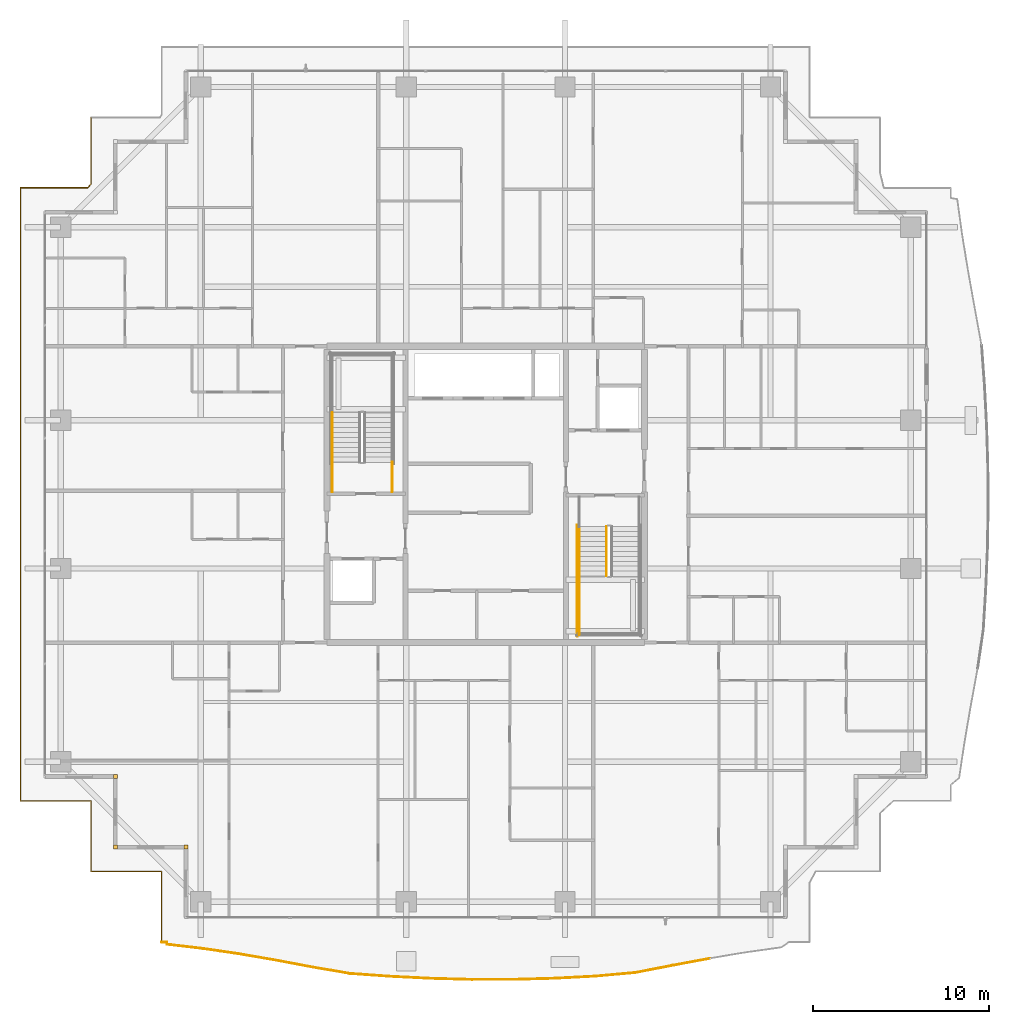
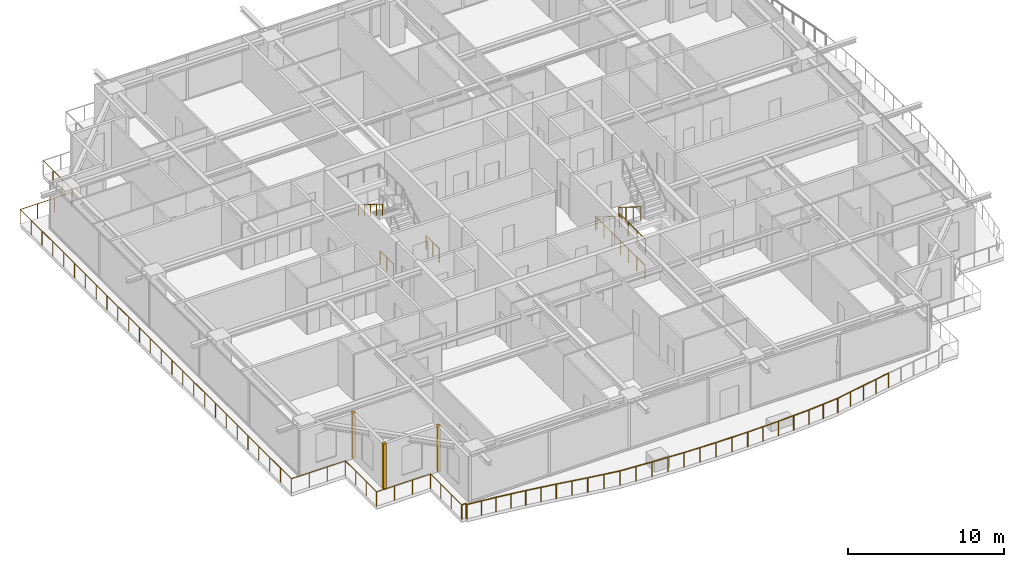
# One storey, part 34 of 38: 10 railings, 3 coverings.
"""IFC4 building model written with IfcOpenShell, lengths in metres."""

import ifcopenshell
import ifcopenshell.guid

model = None  # the IFC model being written
_history = None  # IfcOwnerHistory: only IFC2X3 demands one
_inside = {}  # id of a spatial element -> (the spatial element, [elements in it])
_under = {}  # id of a project, library or spatial element -> (it, [spatial elements below it])
_declared = {}  # id of a project -> (the project, [libraries it declares])
_typed = {}  # id of a type object -> (the type object, [elements of that type])
_made_of = {}  # id of a material, layer set ... -> (it, [elements and type objects made of it])


def new_model(schema):
    """Start an empty IFC model of exactly this schema.

    Asked for "IFC4X3", IfcOpenShell would pick the latest addendum, in which some entities
    have other attributes; the version numbers below select the first issue.
    IFC2X3 requires an IfcOwnerHistory on every rooted entity: one is made here for all.
    """
    global model, _history
    if schema == "IFC4X3":
        model = ifcopenshell.file(schema_version=(4, 3, 0, 0))
    else:
        model = ifcopenshell.file(schema=schema)
    _inside.clear()
    _under.clear()
    _declared.clear()
    _typed.clear()
    _made_of.clear()
    _history = None
    if model.schema == "IFC2X3":
        org = make("IfcOrganization", Name="unknown")
        user = make(
            "IfcPersonAndOrganization",
            ThePerson=make("IfcPerson", FamilyName="unknown"),
            TheOrganization=org,
        )
        app = make(
            "IfcApplication",
            ApplicationDeveloper=org,
            Version="unknown",
            ApplicationFullName="unknown",
            ApplicationIdentifier="unknown",
        )
        _history = make(
            "IfcOwnerHistory",
            OwningUser=user,
            OwningApplication=app,
            ChangeAction="ADDED",
            CreationDate=0,
        )
    return model


def make(cls, **values):
    """One entity of the class cls with the attributes given. An attribute that is None is left unset."""
    return model.create_entity(
        cls, **{name: value for name, value in values.items() if value is not None}
    )


def rooted(cls, **values):
    """An entity with a GlobalId (a new one), such as an element, a storey or a relation."""
    return make(cls, GlobalId=ifcopenshell.guid.new(), OwnerHistory=_history, **values)


def si_unit(unit_type, name, prefix=None):
    """IfcSIUnit, for example si_unit("LENGTHUNIT", "METRE", prefix="MILLI")."""
    return make("IfcSIUnit", UnitType=unit_type, Prefix=prefix, Name=name)


def assignment(units):
    """IfcUnitAssignment: the units of a project."""
    return None if units is None else make("IfcUnitAssignment", Units=units)


def point(xyz):
    """IfcCartesianPoint."""
    return None if xyz is None else make("IfcCartesianPoint", Coordinates=xyz)


def direction(xyz):
    """IfcDirection."""
    return None if xyz is None else make("IfcDirection", DirectionRatios=xyz)


def frame(location, z_axis=None, x_axis=None):
    """IfcAxis2Placement3D, a coordinate frame: its origin and axes. An axis left out is left unset."""
    return make(
        "IfcAxis2Placement3D",
        Location=point(location),
        Axis=direction(z_axis),
        RefDirection=direction(x_axis),
    )


def frame_2d(location, x_axis=None):
    """IfcAxis2Placement2D, a coordinate frame in the plane: its origin and x axis."""
    return make(
        "IfcAxis2Placement2D", Location=point(location), RefDirection=direction(x_axis)
    )


def origin():
    """The frame at (0, 0, 0) with its axes left unset."""
    return frame((0.0, 0.0, 0.0))


def origin_2d():
    """The frame at (0, 0) in the plane with its x axis left unset."""
    return frame_2d((0.0, 0.0))


def place(relative_to, where):
    """IfcLocalPlacement: puts the frame where relative to a parent placement (None: the world)."""
    return make(
        "IfcLocalPlacement", PlacementRelTo=relative_to, RelativePlacement=where
    )


def context(
    kind, dimensions, precision=None, world=None, true_north=None, identifier=None
):
    """IfcGeometricRepresentationContext, for example the 3D "Model" context."""
    return make(
        "IfcGeometricRepresentationContext",
        ContextIdentifier=identifier,
        ContextType=kind,
        CoordinateSpaceDimension=dimensions,
        Precision=precision,
        WorldCoordinateSystem=world,
        TrueNorth=true_north,
    )


def subcontext(parent, identifier, kind, view, scale=None):
    """IfcGeometricRepresentationSubContext, for example "Body" below "Model"."""
    return make(
        "IfcGeometricRepresentationSubContext",
        ContextIdentifier=identifier,
        ContextType=kind,
        ParentContext=parent,
        TargetScale=scale,
        TargetView=view,
    )


def project(units=None, contexts=None):
    """IfcProject with its units and contexts."""
    return rooted(
        "IfcProject",
        Name="project",
        RepresentationContexts=contexts,
        UnitsInContext=assignment(units),
    )


def spatial(cls, under=None, at=None, **own):
    """A site, building, storey or space (cls), placed at a placement, below another one or the project."""
    s = rooted(cls, ObjectPlacement=at, **own)
    if under is not None:
        _under.setdefault(under.id(), (under, []))[1].append(s)
    return s


def profile(cls, at=None, kind="AREA", **sizes):
    """A parametric profile (cls). Its sizes go by their IFC names, for example OverallWidth=200.0."""
    return make(cls, ProfileType=kind, Position=at, **sizes)


def rectangle(**sizes):
    """IfcRectangleProfileDef."""
    return profile("IfcRectangleProfileDef", **sizes)


def circle(**sizes):
    """IfcCircleProfileDef."""
    return profile("IfcCircleProfileDef", **sizes)


def extrude(swept, where, along, depth):
    """IfcExtrudedAreaSolid: the profile swept, set in the frame where, extruded along a direction by depth."""
    return make(
        "IfcExtrudedAreaSolid",
        SweptArea=swept,
        Position=where,
        ExtrudedDirection=direction(along),
        Depth=depth,
    )


def shape(context_of_items, identifier, shape_type, items):
    """IfcShapeRepresentation: the items that make up one representation, for example the "Body"."""
    return make(
        "IfcShapeRepresentation",
        ContextOfItems=context_of_items,
        RepresentationIdentifier=identifier,
        RepresentationType=shape_type,
        Items=items,
    )


def source(mapping_origin, context_of_items, identifier, shape_type, items):
    """IfcRepresentationMap: a shape defined once, which mapped items show again and again."""
    return make(
        "IfcRepresentationMap",
        MappingOrigin=mapping_origin,
        MappedRepresentation=shape(context_of_items, identifier, shape_type, items),
    )


def transform(
    local_origin,
    x_axis=None,
    y_axis=None,
    z_axis=None,
    scale=None,
    scale2=None,
    scale3=None,
    uniform=True,
):
    """IfcCartesianTransformationOperator3D, or its non-uniform kind. x_axis, y_axis, z_axis: its Axis1, 2, 3."""
    if uniform:
        return make(
            "IfcCartesianTransformationOperator3D",
            Axis1=direction(x_axis),
            Axis2=direction(y_axis),
            LocalOrigin=point(local_origin),
            Scale=scale,
            Axis3=direction(z_axis),
        )
    return make(
        "IfcCartesianTransformationOperator3DnonUniform",
        Axis1=direction(x_axis),
        Axis2=direction(y_axis),
        LocalOrigin=point(local_origin),
        Scale=scale,
        Axis3=direction(z_axis),
        Scale2=scale2,
        Scale3=scale3,
    )


def mapped(mapping_source, mapping_target):
    """IfcMappedItem: shows the shape of a source again, moved by a transform."""
    return make(
        "IfcMappedItem", MappingSource=mapping_source, MappingTarget=mapping_target
    )


def material(Name=None, Category=None):
    """IfcMaterial."""
    return make("IfcMaterial", Name=Name, Category=Category)


def layer(
    of_material, thickness, ventilated=None, Name=None, Category=None, Priority=None
):
    """IfcMaterialLayer: one layer of a wall or slab, of a material (None: an air gap)."""
    return make(
        "IfcMaterialLayer",
        Material=of_material,
        LayerThickness=thickness,
        IsVentilated=ventilated,
        Name=Name,
        Category=Category,
        Priority=Priority,
    )


def layer_set(layers, Name=None):
    """IfcMaterialLayerSet."""
    return make("IfcMaterialLayerSet", MaterialLayers=layers, LayerSetName=Name)


def made_of(thing, what):
    """Note that an element or type object is made of a material, layer set ...; save() writes the relation."""
    if what is not None:
        _made_of.setdefault(what.id(), (what, []))[1].append(thing)
    return thing


def type_object(cls, material=None, **own):
    """A type object (cls), such as IfcWallType, which elements share."""
    return made_of(rooted(cls, **own), material)


def element(
    cls,
    number,
    at=None,
    inside=None,
    cuts=None,
    type_object=None,
    material=None,
    context=None,
    identifier="Body",
    shape_type=None,
    held_by="IfcProductDefinitionShape",
    body=None,
    shapes=None,
    **own,
):
    """One element of the class cls, such as IfcWall. Its Tag is "e" and its number.

    at: its placement. inside: the storey or other place that contains it. cuts: it is an
    opening in that element (IfcRelVoidsElement). A single representation is given by context,
    identifier, shape_type and body (its items); several are given by shapes. held_by: the class
    of the entity that holds the representations. save() writes the other relations.
    """
    e = rooted(cls, Tag="e%d" % number, ObjectPlacement=at, **own)
    if body is not None:
        shapes = [shape(context, identifier, shape_type, body)]
    if shapes is not None:
        e.Representation = make(held_by, Representations=shapes)
    if inside is not None:
        _inside.setdefault(inside.id(), (inside, []))[1].append(e)
    if cuts is not None:
        rooted(
            "IfcRelVoidsElement", RelatingBuildingElement=cuts, RelatedOpeningElement=e
        )
    if type_object is not None:
        _typed.setdefault(type_object.id(), (type_object, []))[1].append(e)
    return made_of(e, material)


def aggregate(whole, parts):
    """IfcRelAggregates: a whole, such as a stair, and the parts it consists of."""
    return rooted("IfcRelAggregates", RelatingObject=whole, RelatedObjects=parts)


def save(model, path):
    """Write the relations noted so far, then the file.

    IfcRelAggregates (storeys below a building ...), IfcRelContainedInSpatialStructure (elements
    in a storey), IfcRelDefinesByType, IfcRelAssociatesMaterial and IfcRelDeclares: one each for
    every whole, place, type object, material and project.
    """
    for whole, parts in _under.values():
        aggregate(whole, parts)
    for where, things in _inside.values():
        rooted(
            "IfcRelContainedInSpatialStructure",
            RelatedElements=things,
            RelatingStructure=where,
        )
    for kind, things in _typed.values():
        rooted("IfcRelDefinesByType", RelatedObjects=things, RelatingType=kind)
    for what, things in _made_of.values():
        rooted("IfcRelAssociatesMaterial", RelatedObjects=things, RelatingMaterial=what)
    for by, libraries in _declared.values():
        rooted("IfcRelDeclares", RelatingContext=by, RelatedDefinitions=libraries)
    model.write(path)


model = new_model("IFC4")

# Units and contexts
model_context = context("Model", 3, precision=1e-05, world=origin(), true_north=direction((0.0, 1.0)))
body_context = subcontext(model_context, "Body", "Model", "MODEL_VIEW")
ifc_project = project(units=[si_unit("LENGTHUNIT", "METRE"), si_unit("AREAUNIT", "SQUARE_METRE"), si_unit("VOLUMEUNIT", "CUBIC_METRE"), si_unit("PLANEANGLEUNIT", "RADIAN"), si_unit("MASSUNIT", "GRAM", prefix="KILO")], contexts=[model_context])

# Site, building, storey
site_placement = place(None, origin())
site = spatial("IfcSite", under=ifc_project, at=site_placement, CompositionType="ELEMENT")
building_placement = place(site_placement, origin())
building = spatial("IfcBuilding", under=site, at=building_placement, Name="Serunith Strait Residences", CompositionType="ELEMENT")
storey_placement = place(building_placement, frame((0.0, 0.0, 229.699951171875)))
storey = spatial("IfcBuildingStorey", under=building, at=storey_placement, Name="L57", CompositionType="ELEMENT", Elevation=229.699951171875)

# Railings
ifc_material_1 = material(Name="Stainless Steel & Laminated Glass Balustrade", Category="steel")
railing_type_1 = type_object("IfcRailingType", Name="RLG-BALC-1150", PredefinedType="BALUSTRADE", material=ifc_material_1)
railing_1_placement = place(storey_placement, frame((14.02001953125, -0.179931640625, -0.050048828125)))
element("IfcRailing", 1, at=railing_1_placement, inside=storey, type_object=railing_type_1, Name="L57 Swirling Balcony Perimeter Balustrade 1", PredefinedType="BALUSTRADE", context=body_context, shape_type="SweptSolid", body=[
    extrude(circle(Radius=0.02392578125, at=origin_2d()), frame((0.0, 0.001953125, 1.1259765625), z_axis=(0.0, 1.0, 0.0), x_axis=(-1.0, 0.0, 0.0)), (0.0, 0.0, 1.0), 3.99609375),
    extrude(circle(Radius=0.02392578125, at=origin_2d()), frame((-0.001953125, 4.0, 1.1259765625), z_axis=(-1.0, 0.0, 0.0), x_axis=(0.0, -1.0, 0.0)), (0.0, 0.0, 1.0), 3.99609375),
    extrude(circle(Radius=0.02392578125, at=origin_2d()), frame((-4.0, 4.001953125, 1.1259765625), z_axis=(0.0, 1.0, 0.0), x_axis=(-1.0, 0.0, 0.0)), (0.0, 0.0, 1.0), 3.99609375),
    extrude(circle(Radius=0.02392578125, at=origin_2d()), frame((-4.001953125, 8.0, 1.1259765625), z_axis=(-1.0, 0.0, 0.0), x_axis=(0.0, -1.0, 0.0)), (0.0, 0.0, 1.0), 3.99609375),
    extrude(circle(Radius=0.02392578125, at=origin_2d()), frame((-8.0, 8.001953125, 1.1259765625), z_axis=(0.0, 1.0, 0.0), x_axis=(-1.0, 0.0, 0.0)), (0.0, 0.0, 1.0), 34.756103515625),
    extrude(circle(Radius=0.02392578125, at=origin_2d()), frame((-7.998046875, 42.760009765625, 1.1259765625), z_axis=(1.0, 0.0, 0.0), x_axis=(0.0, 1.0, 0.0)), (0.0, 0.0, 1.0), 3.801025390625),
    extrude(circle(Radius=0.02392578125, at=origin_2d()), frame((-4.19384765625, 42.761474609375, 1.1259765625), z_axis=(0.660199372359, 0.751090399843, 0.0), x_axis=(-0.751090399843, 0.660199372359, 0.0)), (0.0, 0.0, 1.0), 0.29150390625),
    extrude(circle(Radius=0.02392578125, at=origin_2d()), frame((-4.0, 42.98388671875, 1.1259765625), z_axis=(0.0, 1.0, 0.0), x_axis=(-1.0, 0.0, 0.0)), (0.0, 0.0, 1.0), 3.774169921875),
    extrude(circle(Radius=0.02099609375, at=origin_2d()), origin(), (0.0, 0.0, 1.0), 1.099853515625),
    extrude(circle(Radius=0.02099609375, at=origin_2d()), frame((0.0, 1.333251953125, 0.0)), (0.0, 0.0, 1.0), 1.099853515625),
    extrude(circle(Radius=0.02099609375, at=origin_2d()), frame((0.0, 2.666748046875, 0.0)), (0.0, 0.0, 1.0), 1.099853515625),
    extrude(circle(Radius=0.02099609375, at=origin_2d()), frame((0.0, 4.0, 0.0)), (0.0, 0.0, 1.0), 1.099853515625),
    extrude(circle(Radius=0.02099609375, at=origin_2d()), frame((-1.333251953125, 4.0, 0.0)), (0.0, 0.0, 1.0), 1.099853515625),
    extrude(circle(Radius=0.02099609375, at=origin_2d()), frame((-2.666748046875, 4.0, 0.0)), (0.0, 0.0, 1.0), 1.099853515625),
    extrude(circle(Radius=0.02099609375, at=origin_2d()), frame((-4.0, 4.0, 0.0)), (0.0, 0.0, 1.0), 1.099853515625),
    extrude(circle(Radius=0.02099609375, at=origin_2d()), frame((-4.0, 5.333251953125, 0.0)), (0.0, 0.0, 1.0), 1.099853515625),
    extrude(circle(Radius=0.02099609375, at=origin_2d()), frame((-4.0, 6.666748046875, 0.0)), (0.0, 0.0, 1.0), 1.099853515625),
    extrude(circle(Radius=0.02099609375, at=origin_2d()), frame((-4.0, 8.0, 0.0)), (0.0, 0.0, 1.0), 1.099853515625),
    extrude(circle(Radius=0.02099609375, at=origin_2d()), frame((-5.333251953125, 8.0, 0.0)), (0.0, 0.0, 1.0), 1.099853515625),
    extrude(circle(Radius=0.02099609375, at=origin_2d()), frame((-6.666748046875, 8.0, 0.0)), (0.0, 0.0, 1.0), 1.099853515625),
    extrude(circle(Radius=0.02099609375, at=origin_2d()), frame((-8.0, 8.0, 0.0)), (0.0, 0.0, 1.0), 1.099853515625),
    extrude(circle(Radius=0.02099609375, at=origin_2d()), frame((-8.0, 9.390380859375, 0.0)), (0.0, 0.0, 1.0), 1.099853515625),
    extrude(circle(Radius=0.02099609375, at=origin_2d()), frame((-8.0, 10.78076171875, 0.0)), (0.0, 0.0, 1.0), 1.099853515625),
    extrude(circle(Radius=0.02099609375, at=origin_2d()), frame((-8.0, 12.171142578125, 0.0)), (0.0, 0.0, 1.0), 1.099853515625),
    extrude(circle(Radius=0.02099609375, at=origin_2d()), frame((-8.0, 13.5615234375, 0.0)), (0.0, 0.0, 1.0), 1.099853515625),
    extrude(circle(Radius=0.02099609375, at=origin_2d()), frame((-8.0, 14.951904296875, 0.0)), (0.0, 0.0, 1.0), 1.099853515625),
    extrude(circle(Radius=0.02099609375, at=origin_2d()), frame((-8.0, 16.34228515625, 0.0)), (0.0, 0.0, 1.0), 1.099853515625),
    extrude(circle(Radius=0.02099609375, at=origin_2d()), frame((-8.0, 17.73291015625, 0.0)), (0.0, 0.0, 1.0), 1.099853515625),
    extrude(circle(Radius=0.02099609375, at=origin_2d()), frame((-8.0, 19.123291015625, 0.0)), (0.0, 0.0, 1.0), 1.099853515625),
    extrude(circle(Radius=0.02099609375, at=origin_2d()), frame((-8.0, 20.513671875, 0.0)), (0.0, 0.0, 1.0), 1.099853515625),
    extrude(circle(Radius=0.02099609375, at=origin_2d()), frame((-8.0, 21.904052734375, 0.0)), (0.0, 0.0, 1.0), 1.099853515625),
    extrude(circle(Radius=0.02099609375, at=origin_2d()), frame((-8.0, 23.29443359375, 0.0)), (0.0, 0.0, 1.0), 1.099853515625),
    extrude(circle(Radius=0.02099609375, at=origin_2d()), frame((-8.0, 24.684814453125, 0.0)), (0.0, 0.0, 1.0), 1.099853515625),
    extrude(circle(Radius=0.02099609375, at=origin_2d()), frame((-8.0, 26.0751953125, 0.0)), (0.0, 0.0, 1.0), 1.099853515625),
    extrude(circle(Radius=0.02099609375, at=origin_2d()), frame((-8.0, 27.465576171875, 0.0)), (0.0, 0.0, 1.0), 1.099853515625),
    extrude(circle(Radius=0.02099609375, at=origin_2d()), frame((-8.0, 28.85595703125, 0.0)), (0.0, 0.0, 1.0), 1.099853515625),
    extrude(circle(Radius=0.02099609375, at=origin_2d()), frame((-8.0, 30.246337890625, 0.0)), (0.0, 0.0, 1.0), 1.099853515625),
    extrude(circle(Radius=0.02099609375, at=origin_2d()), frame((-8.0, 31.63671875, 0.0)), (0.0, 0.0, 1.0), 1.099853515625),
    extrude(circle(Radius=0.02099609375, at=origin_2d()), frame((-8.0, 33.027099609375, 0.0)), (0.0, 0.0, 1.0), 1.099853515625),
    extrude(circle(Radius=0.02099609375, at=origin_2d()), frame((-8.0, 34.417724609375, 0.0)), (0.0, 0.0, 1.0), 1.099853515625),
    extrude(circle(Radius=0.02099609375, at=origin_2d()), frame((-8.0, 35.80810546875, 0.0)), (0.0, 0.0, 1.0), 1.099853515625),
    extrude(circle(Radius=0.02099609375, at=origin_2d()), frame((-8.0, 37.198486328125, 0.0)), (0.0, 0.0, 1.0), 1.099853515625),
    extrude(circle(Radius=0.02099609375, at=origin_2d()), frame((-8.0, 38.5888671875, 0.0)), (0.0, 0.0, 1.0), 1.099853515625),
    extrude(circle(Radius=0.02099609375, at=origin_2d()), frame((-8.0, 39.979248046875, 0.0)), (0.0, 0.0, 1.0), 1.099853515625),
    extrude(circle(Radius=0.02099609375, at=origin_2d()), frame((-8.0, 41.36962890625, 0.0)), (0.0, 0.0, 1.0), 1.099853515625),
    extrude(circle(Radius=0.02099609375, at=origin_2d()), frame((-8.0, 42.760009765625, 0.0)), (0.0, 0.0, 1.0), 1.099853515625),
    extrude(circle(Radius=0.02099609375, at=origin_2d()), frame((-6.731689453125, 42.760009765625, 0.0)), (0.0, 0.0, 1.0), 1.099853515625),
    extrude(circle(Radius=0.02099609375, at=origin_2d()), frame((-5.46337890625, 42.760009765625, 0.0)), (0.0, 0.0, 1.0), 1.099853515625),
    extrude(circle(Radius=0.02099609375, at=origin_2d()), frame((-4.195068359375, 42.760009765625, 0.0)), (0.0, 0.0, 1.0), 1.099853515625),
    extrude(circle(Radius=0.02099609375, at=origin_2d()), frame((-4.0, 42.98193359375, 0.0)), (0.0, 0.0, 1.0), 1.099853515625),
    extrude(circle(Radius=0.02099609375, at=origin_2d()), frame((-4.0, 44.2412109375, 0.0)), (0.0, 0.0, 1.0), 1.099853515625),
    extrude(circle(Radius=0.02099609375, at=origin_2d()), frame((-4.0, 45.500732421875, 0.0)), (0.0, 0.0, 1.0), 1.099853515625),
    extrude(circle(Radius=0.02099609375, at=origin_2d()), frame((-4.0, 46.760009765625, 0.0)), (0.0, 0.0, 1.0), 1.099853515625),
])
railing_2_placement = place(storey_placement, frame((45.099365234375, -1.112548828125, -0.050048828125)))
element("IfcRailing", 2, at=railing_2_placement, inside=storey, type_object=railing_type_1, Name="L57 Swirling Balcony Perimeter Balustrade 7", PredefinedType="BALUSTRADE", context=body_context, shape_type="SweptSolid", body=[
    extrude(circle(Radius=0.02392578125, at=origin_2d()), frame((-0.001953125, -0.00048828125, 1.1259765625), z_axis=(-0.98293342342, -0.183961640361, 0.0), x_axis=(0.183961640361, -0.98293342342, 0.0)), (0.0, 0.0, 1.0), 2.115478515625),
    extrude(circle(Radius=0.02392578125, at=origin_2d()), frame((-2.085205078125, -0.390380859375, 1.1259765625), z_axis=(-0.981958530381, -0.189096389738, 0.0), x_axis=(0.189096389738, -0.981958530381, 0.0)), (0.0, 0.0, 1.0), 2.177978515625),
    extrude(circle(Radius=0.02392578125, at=origin_2d()), frame((-4.227783203125, -0.802734375, 1.1259765625), z_axis=(-0.995938053883, -0.090041061903, 0.0), x_axis=(0.090041061903, -0.995938053883, 0.0)), (0.0, 0.0, 1.0), 2.265380859375),
    extrude(circle(Radius=0.02392578125, at=origin_2d()), frame((-6.488037109375, -1.0068359375, 1.1259765625), z_axis=(-0.99863616122, -0.052209362223, 0.0), x_axis=(0.052209362223, -0.99863616122, 0.0)), (0.0, 0.0, 1.0), 2.30615234375),
    extrude(circle(Radius=0.02392578125, at=origin_2d()), frame((-8.794921875, -1.12744140625, 1.1259765625), z_axis=(-0.999620692448, -0.027540356392, 0.0), x_axis=(0.027540356392, -0.999620692448, 0.0)), (0.0, 0.0, 1.0), 2.327392578125),
    extrude(circle(Radius=0.02392578125, at=origin_2d()), frame((-11.12548828125, -1.191650390625, 1.1259765625), z_axis=(-0.99999973327, -0.000730383778, 0.0), x_axis=(0.000730383778, -0.99999973327, 0.0)), (0.0, 0.0, 1.0), 2.3359375),
    extrude(circle(Radius=0.02392578125, at=origin_2d()), frame((-13.46533203125, -1.193359375, 1.1259765625), z_axis=(-0.999660691036, 0.026048086236, 0.0), x_axis=(-0.026048086236, -0.999660691036, 0.0)), (0.0, 0.0, 1.0), 2.329833984375),
    extrude(circle(Radius=0.02392578125, at=origin_2d()), frame((-15.79833984375, -1.132568359375, 1.1259765625), z_axis=(-0.998733594087, 0.050311112512, 0.0), x_axis=(-0.050311112512, -0.998733594087, 0.0)), (0.0, 0.0, 1.0), 2.310791015625),
    extrude(circle(Radius=0.02099609375, at=origin_2d()), origin(), (0.0, 0.0, 1.0), 1.099853515625),
    extrude(circle(Radius=0.02099609375, at=origin_2d()), frame((-1.04150390625, -0.19482421875, 0.0)), (0.0, 0.0, 1.0), 1.099853515625),
    extrude(circle(Radius=0.02099609375, at=origin_2d()), frame((-2.083251953125, -0.389892578125, 0.0)), (0.0, 0.0, 1.0), 1.099853515625),
    extrude(circle(Radius=0.02099609375, at=origin_2d()), frame((-3.154541015625, -0.59619140625, 0.0)), (0.0, 0.0, 1.0), 1.099853515625),
    extrude(circle(Radius=0.02099609375, at=origin_2d()), frame((-4.225830078125, -0.802490234375, 0.0)), (0.0, 0.0, 1.0), 1.099853515625),
    extrude(circle(Radius=0.02099609375, at=origin_2d()), frame((-5.35595703125, -0.90478515625, 0.0)), (0.0, 0.0, 1.0), 1.099853515625),
    extrude(circle(Radius=0.02099609375, at=origin_2d()), frame((-6.486083984375, -1.0068359375, 0.0)), (0.0, 0.0, 1.0), 1.099853515625),
    extrude(circle(Radius=0.02099609375, at=origin_2d()), frame((-7.6396484375, -1.067138671875, 0.0)), (0.0, 0.0, 1.0), 1.099853515625),
    extrude(circle(Radius=0.02099609375, at=origin_2d()), frame((-8.79296875, -1.12744140625, 0.0)), (0.0, 0.0, 1.0), 1.099853515625),
    extrude(circle(Radius=0.02099609375, at=origin_2d()), frame((-9.958251953125, -1.15966796875, 0.0)), (0.0, 0.0, 1.0), 1.099853515625),
    extrude(circle(Radius=0.02099609375, at=origin_2d()), frame((-11.12353515625, -1.191650390625, 0.0)), (0.0, 0.0, 1.0), 1.099853515625),
    extrude(circle(Radius=0.02099609375, at=origin_2d()), frame((-12.29345703125, -1.1923828125, 0.0)), (0.0, 0.0, 1.0), 1.099853515625),
    extrude(circle(Radius=0.02099609375, at=origin_2d()), frame((-13.46337890625, -1.193359375, 0.0)), (0.0, 0.0, 1.0), 1.099853515625),
    extrude(circle(Radius=0.02099609375, at=origin_2d()), frame((-14.6298828125, -1.1630859375, 0.0)), (0.0, 0.0, 1.0), 1.099853515625),
    extrude(circle(Radius=0.02099609375, at=origin_2d()), frame((-15.79638671875, -1.132568359375, 0.0)), (0.0, 0.0, 1.0), 1.099853515625),
    extrude(circle(Radius=0.02099609375, at=origin_2d()), frame((-16.9521484375, -1.07421875, 0.0)), (0.0, 0.0, 1.0), 1.099853515625),
    extrude(circle(Radius=0.02099609375, at=origin_2d()), frame((-18.108154296875, -1.01611328125, 0.0)), (0.0, 0.0, 1.0), 1.099853515625),
])
railing_3_placement = place(storey_placement, frame((26.9912109375, -2.128662109375, -0.050048828125)))
element("IfcRailing", 3, at=railing_3_placement, inside=storey, type_object=railing_type_1, Name="L57 Swirling Balcony Perimeter Balustrade 8", PredefinedType="BALUSTRADE", context=body_context, shape_type="SweptSolid", body=[
    extrude(circle(Radius=0.02392578125, at=origin_2d()), frame((-0.001953125, 0.000244140625, 1.1259765625), z_axis=(-0.99751050037, 0.070518094499, 0.0), x_axis=(-0.070518094499, -0.99751050037, 0.0)), (0.0, 0.0, 1.0), 2.281005859375),
    extrude(circle(Radius=0.02392578125, at=origin_2d()), frame((-2.28125, 0.161376953125, 1.1259765625), z_axis=(-0.985749408863, 0.168220399851, 0.0), x_axis=(-0.168220399851, -0.985749408863, 0.0)), (0.0, 0.0, 1.0), 2.201904296875),
    extrude(circle(Radius=0.02392578125, at=origin_2d()), frame((-4.455810546875, 0.53271484375, 1.1259765625), z_axis=(-0.982566861091, 0.185909557274, 0.0), x_axis=(-0.185909557274, -0.982566861091, 0.0)), (0.0, 0.0, 1.0), 2.132568359375),
    extrude(circle(Radius=0.02392578125, at=origin_2d()), frame((-6.55517578125, 0.9296875, 1.1259765625), z_axis=(-0.98551345338, 0.16959726769, 0.0), x_axis=(-0.16959726769, -0.98551345338, 0.0)), (0.0, 0.0, 1.0), 2.081787109375),
    extrude(circle(Radius=0.02392578125, at=origin_2d()), frame((-8.61083984375, 1.283447265625, 1.1259765625), z_axis=(-0.989480179524, 0.144668498052, 0.0), x_axis=(-0.144668498052, -0.989480179524, 0.0)), (0.0, 0.0, 1.0), 2.048095703125),
    extrude(circle(Radius=0.02392578125, at=origin_2d()), frame((-10.641357421875, 1.580322265625, 1.1259765625), z_axis=(-0.993065178084, 0.117565097188, 0.0), x_axis=(-0.117565097188, -0.993065178084, 0.0)), (0.0, 0.0, 1.0), 2.031005859375),
    extrude(circle(Radius=0.02392578125, at=origin_2d()), frame((-12.660400390625, 1.8212890625, 1.1259765625), z_axis=(0.007546954878, 0.999971521331, 0.0), x_axis=(-0.999971521331, 0.007546954878, 0.0)), (0.0, 0.0, 1.0), 0.12548828125),
    extrude(circle(Radius=0.02392578125, at=origin_2d()), frame((-12.661376953125, 1.94873046875, 1.1259765625), z_axis=(-1.0, 0.0, 0.0), x_axis=(0.0, -1.0, 0.0)), (0.0, 0.0, 1.0), 0.307861328125),
    extrude(circle(Radius=0.02099609375, at=origin_2d()), origin(), (0.0, 0.0, 1.0), 1.099853515625),
    extrude(circle(Radius=0.02099609375, at=origin_2d()), frame((-1.1396484375, 0.08056640625, 0.0)), (0.0, 0.0, 1.0), 1.099853515625),
    extrude(circle(Radius=0.02099609375, at=origin_2d()), frame((-2.279296875, 0.1611328125, 0.0)), (0.0, 0.0, 1.0), 1.099853515625),
    extrude(circle(Radius=0.02099609375, at=origin_2d()), frame((-3.36669921875, 0.3466796875, 0.0)), (0.0, 0.0, 1.0), 1.099853515625),
    extrude(circle(Radius=0.02099609375, at=origin_2d()), frame((-4.453857421875, 0.5322265625, 0.0)), (0.0, 0.0, 1.0), 1.099853515625),
    extrude(circle(Radius=0.02099609375, at=origin_2d()), frame((-5.50341796875, 0.73095703125, 0.0)), (0.0, 0.0, 1.0), 1.099853515625),
    extrude(circle(Radius=0.02099609375, at=origin_2d()), frame((-6.55322265625, 0.929443359375, 0.0)), (0.0, 0.0, 1.0), 1.099853515625),
    extrude(circle(Radius=0.02099609375, at=origin_2d()), frame((-7.5810546875, 1.1064453125, 0.0)), (0.0, 0.0, 1.0), 1.099853515625),
    extrude(circle(Radius=0.02099609375, at=origin_2d()), frame((-8.60888671875, 1.283203125, 0.0)), (0.0, 0.0, 1.0), 1.099853515625),
    extrude(circle(Radius=0.02099609375, at=origin_2d()), frame((-9.6240234375, 1.431640625, 0.0)), (0.0, 0.0, 1.0), 1.099853515625),
    extrude(circle(Radius=0.02099609375, at=origin_2d()), frame((-10.639404296875, 1.580078125, 0.0)), (0.0, 0.0, 1.0), 1.099853515625),
    extrude(circle(Radius=0.02099609375, at=origin_2d()), frame((-11.64990234375, 1.69970703125, 0.0)), (0.0, 0.0, 1.0), 1.099853515625),
    extrude(circle(Radius=0.02099609375, at=origin_2d()), frame((-12.660400390625, 1.8193359375, 0.0)), (0.0, 0.0, 1.0), 1.099853515625),
    extrude(circle(Radius=0.02099609375, at=origin_2d()), frame((-12.659423828125, 1.94873046875, 0.0)), (0.0, 0.0, 1.0), 1.099853515625),
    extrude(circle(Radius=0.02099609375, at=origin_2d()), frame((-12.97119140625, 1.94873046875, 0.0)), (0.0, 0.0, 1.0), 1.099853515625),
])
ifc_material_2 = material(Name="Brushed stainless steel 316L", Category="steel")
railing_type_2 = type_object("IfcRailingType", Name="RLG-STAIR-GUARD", PredefinedType="BALUSTRADE", material=ifc_material_2)
for number, where, name in (
    (4, (27.10009765625, 25.35009765625, 0.0), "L57 ST-1 stair guard 8"),
    (5, (23.699951171875, 25.35009765625, 0.0), "L57 ST-1 stair guard 9"),
):
    element("IfcRailing", number, at=place(storey_placement, frame(where)), inside=storey, type_object=railing_type_2, Name=name, PredefinedType="BALUSTRADE", context=body_context, shape_type="SweptSolid", body=[
        extrude(circle(Radius=0.02392578125, at=origin_2d()), frame((0.0, 0.001953125, 1.076171875), z_axis=(0.0, 1.0, 0.0), x_axis=(-1.0, 0.0, 0.0)), (0.0, 0.0, 1.0), 1.676025390625),
        extrude(circle(Radius=0.02099609375, at=origin_2d()), origin(), (0.0, 0.0, 1.0), 1.050048828125),
        extrude(circle(Radius=0.02099609375, at=origin_2d()), frame((0.0, 0.83984375, 0.0)), (0.0, 0.0, 1.0), 1.050048828125),
        extrude(circle(Radius=0.02099609375, at=origin_2d()), frame((0.0, 1.679931640625, 0.0)), (0.0, 0.0, 1.0), 1.050048828125),
    ])
railing_4_placement = place(storey_placement, frame((39.25, 23.3701171875, 0.175048828125)))
element("IfcRailing", 6, at=railing_4_placement, inside=storey, type_object=railing_type_2, Name="L57 ST-2 stair guard 1", PredefinedType="BALUSTRADE", context=body_context, shape_type="SweptSolid", body=[
    extrude(circle(Radius=0.02392578125, at=origin_2d()), frame((0.0, -0.001708984375, 1.0771484375), z_axis=(0.0, -0.848002457836, 0.529992293815), x_axis=(1.0, 0.0, 0.0)), (0.0, 0.0, 1.0), 3.2978515625),
    extrude(circle(Radius=0.02099609375, at=origin_2d()), origin(), (0.0, 0.0, 1.0), 1.050048828125),
    extrude(circle(Radius=0.02099609375, at=origin_2d()), frame((0.0, -0.933349609375, 0.583251953125)), (0.0, 0.0, 1.0), 1.050048828125),
    extrude(circle(Radius=0.02099609375, at=origin_2d()), frame((0.0, -1.86669921875, 1.166748046875)), (0.0, 0.0, 1.0), 1.050048828125),
    extrude(circle(Radius=0.02099609375, at=origin_2d()), frame((0.0, -2.800048828125, 1.75)), (0.0, 0.0, 1.0), 1.050048828125),
])
railing_5_placement = place(storey_placement, frame((37.699951171875, 20.570068359375, 1.925048828125)))
element("IfcRailing", 7, at=railing_5_placement, inside=storey, type_object=railing_type_2, Name="L57 ST-2 stair guard 3", PredefinedType="BALUSTRADE", context=body_context, shape_type="SweptSolid", body=[
    extrude(circle(Radius=0.02392578125, at=origin_2d()), frame((0.0, -0.001953125, 1.076171875), z_axis=(0.0, -1.0, 0.0), x_axis=(1.0, 0.0, 0.0)), (0.0, 0.0, 1.0), 3.316162109375),
    extrude(circle(Radius=0.02099609375, at=origin_2d()), origin(), (0.0, 0.0, 1.0), 1.050048828125),
    extrude(circle(Radius=0.02099609375, at=origin_2d()), frame((0.0, -1.106689453125, 0.0)), (0.0, 0.0, 1.0), 1.050048828125),
    extrude(circle(Radius=0.02099609375, at=origin_2d()), frame((0.0, -2.21337890625, 0.0)), (0.0, 0.0, 1.0), 1.050048828125),
    extrude(circle(Radius=0.02099609375, at=origin_2d()), frame((0.0, -3.320068359375, 0.0)), (0.0, 0.0, 1.0), 1.050048828125),
])
railing_6_placement = place(storey_placement, frame((37.60009765625, 23.469970703125, 0.0)))
element("IfcRailing", 8, at=railing_6_placement, inside=storey, type_object=railing_type_2, Name="L57 ST-2 stair guard 10", PredefinedType="BALUSTRADE", context=body_context, shape_type="SweptSolid", body=[
    extrude(circle(Radius=0.02392578125, at=origin_2d()), frame((0.0, -0.001953125, 1.076171875), z_axis=(0.0, -1.0, 0.0), x_axis=(1.0, 0.0, 0.0)), (0.0, 0.0, 1.0), 6.316162109375),
    extrude(circle(Radius=0.02099609375, at=origin_2d()), origin(), (0.0, 0.0, 1.0), 1.050048828125),
    extrude(circle(Radius=0.02099609375, at=origin_2d()), frame((0.0, -1.05322265625, 0.0)), (0.0, 0.0, 1.0), 1.050048828125),
    extrude(circle(Radius=0.02099609375, at=origin_2d()), frame((0.0, -2.106689453125, 0.0)), (0.0, 0.0, 1.0), 1.050048828125),
    extrude(circle(Radius=0.02099609375, at=origin_2d()), frame((0.0, -3.16015625, 0.0)), (0.0, 0.0, 1.0), 1.050048828125),
    extrude(circle(Radius=0.02099609375, at=origin_2d()), frame((0.0, -4.21337890625, 0.0)), (0.0, 0.0, 1.0), 1.050048828125),
    extrude(circle(Radius=0.02099609375, at=origin_2d()), frame((0.0, -5.2666015625, 0.0)), (0.0, 0.0, 1.0), 1.050048828125),
    extrude(circle(Radius=0.02099609375, at=origin_2d()), frame((0.0, -6.320068359375, 0.0)), (0.0, 0.0, 1.0), 1.050048828125),
])
railing_type_3 = type_object("IfcRailingType", Name="RLG-STAIR-HR", PredefinedType="HANDRAIL", material=ifc_material_2)
for number, where, name in (
    (9, (23.699951171875, 29.830078125, 2.10009765625), "L57 ST-1 stair handrail 2"),
    (10, (37.699951171875, 23.3701171875, 0.175048828125), "L57 ST-2 stair handrail 1"),
):
    element("IfcRailing", number, at=place(storey_placement, frame(where)), inside=storey, type_object=railing_type_3, Name=name, PredefinedType="HANDRAIL", context=body_context, shape_type="SweptSolid", body=[
        extrude(circle(Radius=0.02392578125, at=origin_2d()), frame((0.0, -0.001708984375, 0.876953125), z_axis=(0.0, -0.847393994688, 0.530964610654), x_axis=(1.0, 0.0, 0.0)), (0.0, 0.0, 1.0), 3.630859375),
        extrude(circle(Radius=0.02099609375, at=origin_2d()), origin(), (0.0, 0.0, 1.0), 0.849853515625),
        extrude(circle(Radius=0.02099609375, at=origin_2d()), frame((0.0, -0.77001953125, 0.482421875)), (0.0, 0.0, 1.0), 0.849853515625),
        extrude(circle(Radius=0.02099609375, at=origin_2d()), frame((0.0, -1.5400390625, 0.96484375)), (0.0, 0.0, 1.0), 0.849853515625),
        extrude(circle(Radius=0.02099609375, at=origin_2d()), frame((0.0, -2.31005859375, 1.447509765625)), (0.0, 0.0, 1.0), 0.849853515625),
        extrude(circle(Radius=0.02099609375, at=origin_2d()), frame((0.0, -3.080078125, 1.929931640625)), (0.0, 0.0, 1.0), 0.849853515625),
    ])

# Coverings
ifc_material_3 = material(Name="Pale-Champagne Anodised Aluminium", Category="aluminium")
ifc_layer = layer(ifc_material_3, 0.219970703125, Name="Pale-Champagne Anodised Aluminium")
ifc_layer_set = layer_set([ifc_layer], Name="Pale-Champagne Anodised Aluminium")
covering_type = type_object("IfcCoveringType", Name="COV-CORN-TRIM", PredefinedType="CLADDING", material=ifc_layer_set)
shared_shape = source(origin(), body_context, "Body", "SweptSolid", [
    extrude(rectangle(XDim=0.221923828125, YDim=0.221923828125, at=origin_2d()), origin(), (0.0, 0.0, 1.0), 3.574951171875),
])
for number, where, z_axis, x_axis, name in (
    (11, (11.39990234375, 9.199951171875, 0.0), (0.0, 0.0, 1.0), (1.0, 0.0, 0.0), "L57 Girih Serrated Corner Trim Post 17"),
    (12, (11.39990234375, 5.199951171875, 0.0), (0.0, 0.0, 1.0), (1.0, 0.0, 0.0), "L57 Girih Serrated Corner Trim Post 18"),
    (13, (15.39990234375, 5.199951171875, 0.0), (0.0, 0.0, 1.0), (1.0, 0.0, 0.0), "L57 Girih Serrated Corner Trim Post 19"),
):
    element("IfcCovering", number, at=place(storey_placement, frame(where, z_axis=z_axis, x_axis=x_axis)), inside=storey, type_object=covering_type, Name=name, PredefinedType="CLADDING", context=body_context, shape_type="MappedRepresentation", body=[
        mapped(shared_shape, transform((0.0, 0.0, 0.0), scale=1.0)),
    ])

save(model, "model.ifc")
